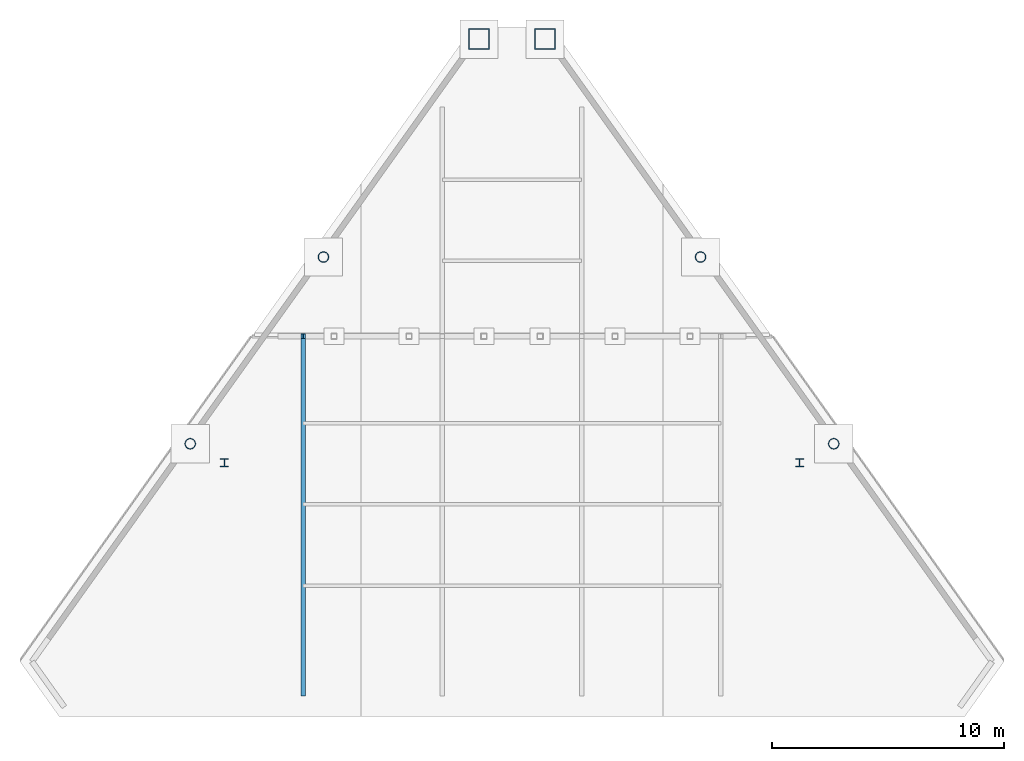
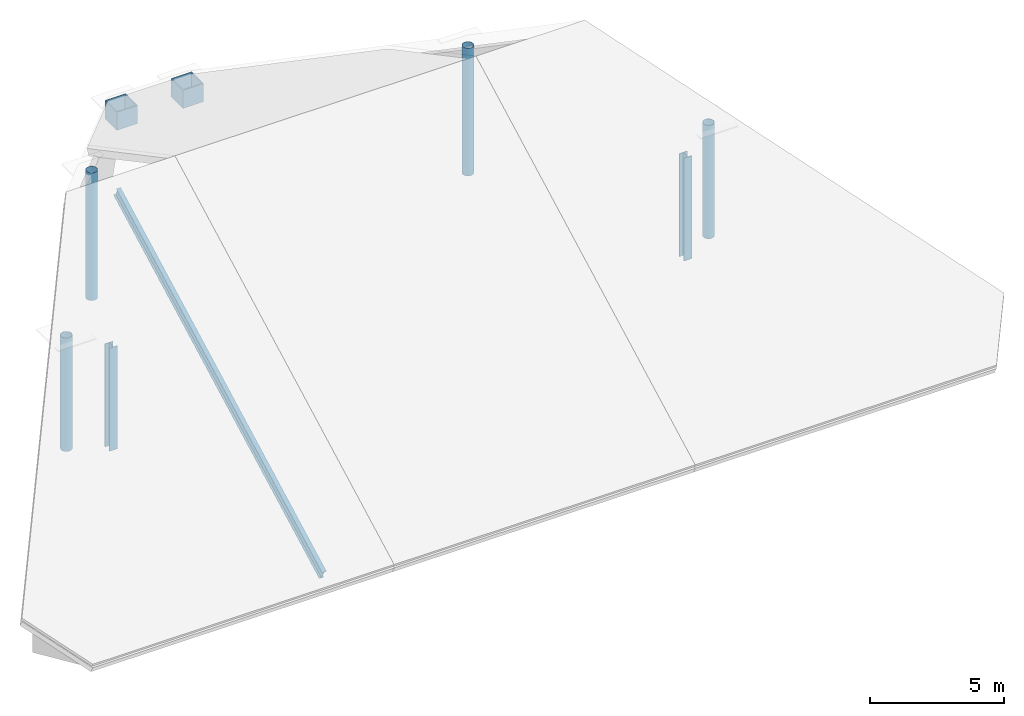
# One storey, part 1 of 3: 8 columns, 1 beam.
"""IFC4 building model written with IfcOpenShell, lengths in metres."""

from ifc_helpers import new_model, si_unit, direction, frame, origin, origin_2d, place, context, subcontext, project, spatial, hollow_rectangle, hollow_circle, i_section, extrude, material, material_profile, profile_set, type_object, element, save


model = new_model("IFC4")

# Units and contexts
model_context = context("Model", 3, precision=1e-05, world=origin(), true_north=direction((0.0, 1.0)))
body_context = subcontext(model_context, "Body", "Model", "MODEL_VIEW")
ifc_project = project(units=[si_unit("LENGTHUNIT", "METRE"), si_unit("AREAUNIT", "SQUARE_METRE"), si_unit("VOLUMEUNIT", "CUBIC_METRE"), si_unit("PLANEANGLEUNIT", "RADIAN"), si_unit("MASSUNIT", "GRAM", prefix="KILO")], contexts=[model_context])

# Site, building, storey
site_placement = place(None, origin())
site = spatial("IfcSite", under=ifc_project, at=site_placement, CompositionType="ELEMENT")
building_placement = place(site_placement, origin())
building = spatial("IfcBuilding", under=site, at=building_placement, Name="Talgorran Terracotta Tower", CompositionType="ELEMENT")
storey_placement = place(building_placement, frame((0.0, 0.0, 310.199951171875)))
storey = spatial("IfcBuildingStorey", under=building, at=storey_placement, Name="RF", CompositionType="ELEMENT", Elevation=310.199951171875)

# Columns
ifc_material_1 = material(Name="Steel S355 (300PLUS)", Category="steel")
ifc_material_profile_1 = material_profile(ifc_material_1, i_section(OverallWidth=0.35205078125, OverallDepth=0.35888671875, WebThickness=0.01806640625, FlangeThickness=0.02587890625, at=origin_2d()), Name="350WC197")
ifc_profile_set_1 = profile_set([ifc_material_profile_1], Name="Steel S355 (300PLUS)")
column_type_1 = type_object("IfcColumnType", Name="COL_350WC197", PredefinedType="COLUMN", material=ifc_profile_set_1)
for number, where, z_axis, x_axis, name in (
    (1, (12.39990234375, -4.199951171875, 0.0), (0.0, 0.0, 1.0), (1.0, 0.0, 0.0), "RF Core Boundary Column CC3"),
    (2, (-12.39990234375, -4.199951171875, 0.0), (0.0, 0.0, 1.0), (1.0, 0.0, 0.0), "RF Core Boundary Column CC4"),
):
    element("IfcColumn", number, at=place(storey_placement, frame(where, z_axis=z_axis, x_axis=x_axis)), inside=storey, type_object=column_type_1, Name=name, PredefinedType="COLUMN", context=body_context, shape_type="SweptSolid", body=[
        extrude(i_section(OverallWidth=0.35205078125, OverallDepth=0.35888671875, WebThickness=0.01806640625, FlangeThickness=0.02587890625, at=origin_2d()), origin(), (0.0, 0.0, 1.0), 4.7021484375),
    ])
ifc_material_2 = material(Name="Steel Grade 350 (350L0)", Category="steel")
ifc_material_profile_2 = material_profile(ifc_material_2, hollow_rectangle(XDim=0.89990234375, YDim=0.89990234375, WallThickness=0.0400390625, at=origin_2d()), Name="CFT900X900X40")
ifc_profile_set_2 = profile_set([ifc_material_profile_2], Name="Steel Grade 350 (350L0)")
column_type_2 = type_object("IfcColumnType", Name="COL_CFT_900", PredefinedType="COLUMN", material=ifc_profile_set_2)
for number, where, z_axis, x_axis, name in (
    (3, (1.4267578125, 14.0546875, 0.0), (0.0, 0.0, 1.0), (1.0, 0.0, 0.0), "RF Corner CFT Mega-Column MC5"),
    (4, (-1.4267578125, 14.0546875, 0.0), (0.0, 0.0, 1.0), (1.0, 0.0, 0.0), "RF Corner CFT Mega-Column MC6"),
):
    element("IfcColumn", number, at=place(storey_placement, frame(where, z_axis=z_axis, x_axis=x_axis)), inside=storey, type_object=column_type_2, Name=name, PredefinedType="COLUMN", context=body_context, shape_type="SweptSolid", body=[
        extrude(hollow_rectangle(XDim=0.89990234375, YDim=0.89990234375, WallThickness=0.0400390625, at=origin_2d()), origin(), (0.0, 0.0, 1.0), 0.831787109375),
    ])
ifc_material_3 = material(Name="Steel S350 (C350L0)", Category="steel")
ifc_material_profile_3 = material_profile(ifc_material_3, hollow_circle(Radius=0.228515625, WallThickness=0.01611328125, at=origin_2d()), Name="CHS457X16")
ifc_profile_set_3 = profile_set([ifc_material_profile_3], Name="Steel S350 (C350L0)")
column_type_3 = type_object("IfcColumnType", Name="COL_CHS_457", PredefinedType="COLUMN", material=ifc_profile_set_3)
column_1_placement = place(storey_placement, frame((13.86767578125, -3.384521484375, 0.0), z_axis=(0.0, 0.0, 1.0), x_axis=(1.0, 0.0, 0.0)))
element("IfcColumn", 5, at=column_1_placement, inside=storey, type_object=column_type_3, Name="RF Facet Perimeter Column FC3", PredefinedType="COLUMN", context=body_context, shape_type="SweptSolid", body=[
    extrude(hollow_circle(Radius=0.228515625, WallThickness=0.01611328125, at=origin_2d()), origin(), (0.0, 0.0, 1.0), 5.17578125),
])
for number, where, z_axis, x_axis, name in (
    (6, (8.125732421875, 4.664306640625, 0.0), (0.0, 0.0, 1.0), (1.0, 0.0, 0.0), "RF Facet Perimeter Column FC4"),
    (7, (-8.125732421875, 4.664306640625, 0.0), (0.0, 0.0, 1.0), (1.0, 0.0, 0.0), "RF Facet Perimeter Column FC5"),
):
    element("IfcColumn", number, at=place(storey_placement, frame(where, z_axis=z_axis, x_axis=x_axis)), inside=storey, type_object=column_type_3, Name=name, PredefinedType="COLUMN", context=body_context, shape_type="SweptSolid", body=[
        extrude(hollow_circle(Radius=0.228515625, WallThickness=0.01611328125, at=origin_2d()), origin(), (0.0, 0.0, 1.0), 5.824462890625),
    ])
column_2_placement = place(storey_placement, frame((-13.86767578125, -3.384521484375, 0.0), z_axis=(0.0, 0.0, 1.0), x_axis=(1.0, 0.0, 0.0)))
element("IfcColumn", 8, at=column_2_placement, inside=storey, type_object=column_type_3, Name="RF Facet Perimeter Column FC6", PredefinedType="COLUMN", context=body_context, shape_type="SweptSolid", body=[
    extrude(hollow_circle(Radius=0.228515625, WallThickness=0.01611328125, at=origin_2d()), origin(), (0.0, 0.0, 1.0), 5.17578125),
])

# Beam
ifc_material_profile_4 = material_profile(ifc_material_1, i_section(OverallWidth=0.19140625, OverallDepth=0.46044921875, WebThickness=0.010009765625, FlangeThickness=0.01611328125, at=origin_2d()), Name="460UB82.1")
ifc_profile_set_4 = profile_set([ifc_material_profile_4], Name="Steel S355 (300PLUS)")
beam_type = type_object("IfcBeamType", Name="BM_RF_460UB82", PredefinedType="BEAM", material=ifc_profile_set_4)
beam_placement = place(storey_placement, frame((-9.0, 1.25, 7.219970703125), z_axis=(0.0, -0.882948564922, -0.469469734597), x_axis=(1.0, 0.0, 0.0)))
element("IfcBeam", 9, at=beam_placement, inside=storey, type_object=beam_type, Name="Sloped Crown Rafter S1", PredefinedType="BEAM", context=body_context, shape_type="SweptSolid", body=[
    extrude(i_section(OverallWidth=0.19140625, OverallDepth=0.46044921875, WebThickness=0.010009765625, FlangeThickness=0.01611328125, at=origin_2d()), origin(), (0.0, 0.0, 1.0), 17.44140625),
])

save(model, "model.ifc")
